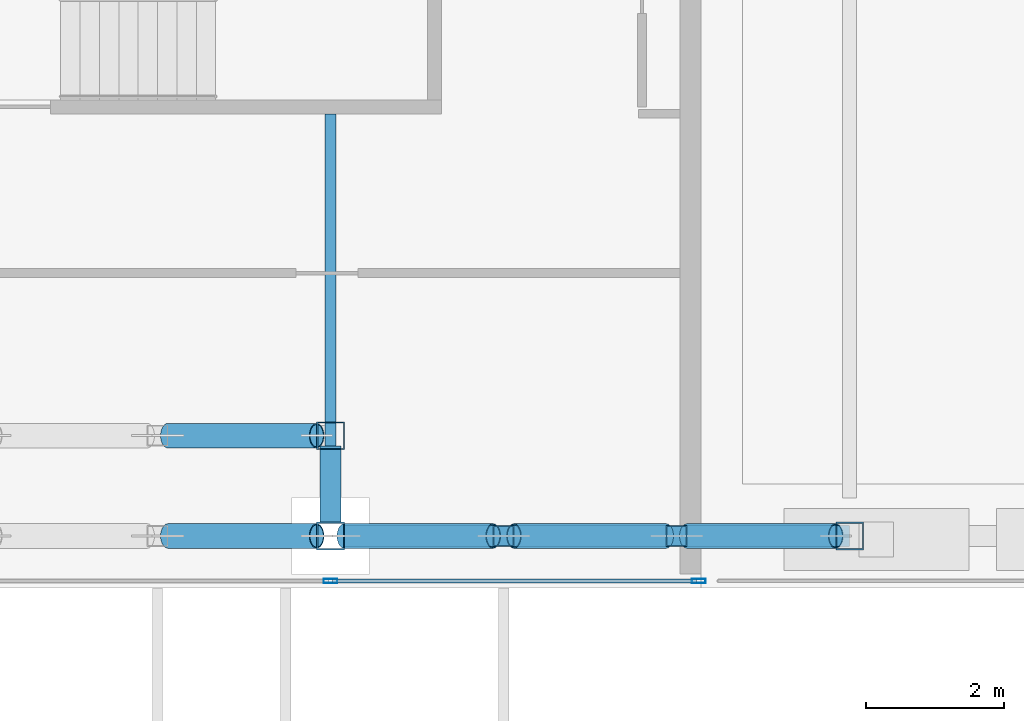
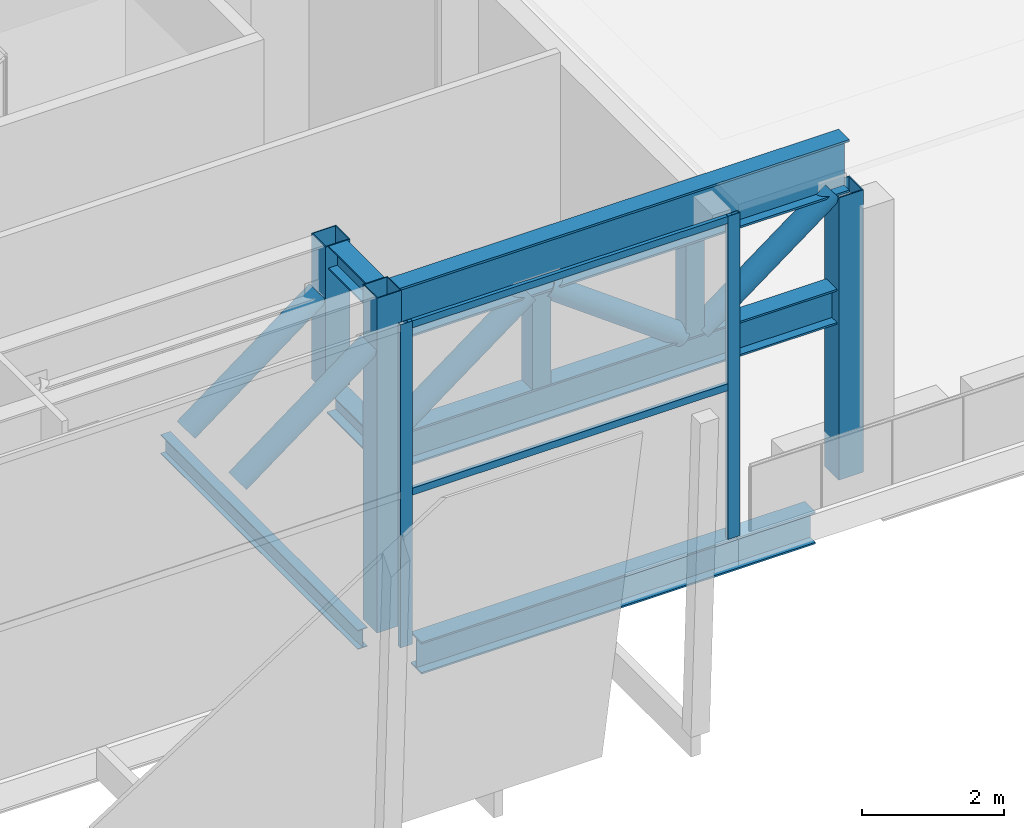
# One storey, part 5 of 47: 16 members, 4 beams, 1 element without a shape of its own.
"""IFC4 building model written with IfcOpenShell, lengths in metres."""

import ifcopenshell
import ifcopenshell.guid

model = None  # the IFC model being written
_history = None  # IfcOwnerHistory: only IFC2X3 demands one
_inside = {}  # id of a spatial element -> (the spatial element, [elements in it])
_under = {}  # id of a project, library or spatial element -> (it, [spatial elements below it])
_declared = {}  # id of a project -> (the project, [libraries it declares])
_typed = {}  # id of a type object -> (the type object, [elements of that type])
_made_of = {}  # id of a material, layer set ... -> (it, [elements and type objects made of it])


def new_model(schema):
    """Start an empty IFC model of exactly this schema.

    Asked for "IFC4X3", IfcOpenShell would pick the latest addendum, in which some entities
    have other attributes; the version numbers below select the first issue.
    IFC2X3 requires an IfcOwnerHistory on every rooted entity: one is made here for all.
    """
    global model, _history
    if schema == "IFC4X3":
        model = ifcopenshell.file(schema_version=(4, 3, 0, 0))
    else:
        model = ifcopenshell.file(schema=schema)
    _inside.clear()
    _under.clear()
    _declared.clear()
    _typed.clear()
    _made_of.clear()
    _history = None
    if model.schema == "IFC2X3":
        org = make("IfcOrganization", Name="unknown")
        user = make(
            "IfcPersonAndOrganization",
            ThePerson=make("IfcPerson", FamilyName="unknown"),
            TheOrganization=org,
        )
        app = make(
            "IfcApplication",
            ApplicationDeveloper=org,
            Version="unknown",
            ApplicationFullName="unknown",
            ApplicationIdentifier="unknown",
        )
        _history = make(
            "IfcOwnerHistory",
            OwningUser=user,
            OwningApplication=app,
            ChangeAction="ADDED",
            CreationDate=0,
        )
    return model


def make(cls, **values):
    """One entity of the class cls with the attributes given. An attribute that is None is left unset."""
    return model.create_entity(
        cls, **{name: value for name, value in values.items() if value is not None}
    )


def rooted(cls, **values):
    """An entity with a GlobalId (a new one), such as an element, a storey or a relation."""
    return make(cls, GlobalId=ifcopenshell.guid.new(), OwnerHistory=_history, **values)


def si_unit(unit_type, name, prefix=None):
    """IfcSIUnit, for example si_unit("LENGTHUNIT", "METRE", prefix="MILLI")."""
    return make("IfcSIUnit", UnitType=unit_type, Prefix=prefix, Name=name)


def assignment(units):
    """IfcUnitAssignment: the units of a project."""
    return None if units is None else make("IfcUnitAssignment", Units=units)


def point(xyz):
    """IfcCartesianPoint."""
    return None if xyz is None else make("IfcCartesianPoint", Coordinates=xyz)


def direction(xyz):
    """IfcDirection."""
    return None if xyz is None else make("IfcDirection", DirectionRatios=xyz)


def frame(location, z_axis=None, x_axis=None):
    """IfcAxis2Placement3D, a coordinate frame: its origin and axes. An axis left out is left unset."""
    return make(
        "IfcAxis2Placement3D",
        Location=point(location),
        Axis=direction(z_axis),
        RefDirection=direction(x_axis),
    )


def frame_2d(location, x_axis=None):
    """IfcAxis2Placement2D, a coordinate frame in the plane: its origin and x axis."""
    return make(
        "IfcAxis2Placement2D", Location=point(location), RefDirection=direction(x_axis)
    )


def origin():
    """The frame at (0, 0, 0) with its axes left unset."""
    return frame((0.0, 0.0, 0.0))


def origin_2d():
    """The frame at (0, 0) in the plane with its x axis left unset."""
    return frame_2d((0.0, 0.0))


def place(relative_to, where):
    """IfcLocalPlacement: puts the frame where relative to a parent placement (None: the world)."""
    return make(
        "IfcLocalPlacement", PlacementRelTo=relative_to, RelativePlacement=where
    )


def context(
    kind, dimensions, precision=None, world=None, true_north=None, identifier=None
):
    """IfcGeometricRepresentationContext, for example the 3D "Model" context."""
    return make(
        "IfcGeometricRepresentationContext",
        ContextIdentifier=identifier,
        ContextType=kind,
        CoordinateSpaceDimension=dimensions,
        Precision=precision,
        WorldCoordinateSystem=world,
        TrueNorth=true_north,
    )


def subcontext(parent, identifier, kind, view, scale=None):
    """IfcGeometricRepresentationSubContext, for example "Body" below "Model"."""
    return make(
        "IfcGeometricRepresentationSubContext",
        ContextIdentifier=identifier,
        ContextType=kind,
        ParentContext=parent,
        TargetScale=scale,
        TargetView=view,
    )


def project(units=None, contexts=None):
    """IfcProject with its units and contexts."""
    return rooted(
        "IfcProject",
        Name="project",
        RepresentationContexts=contexts,
        UnitsInContext=assignment(units),
    )


def spatial(cls, under=None, at=None, **own):
    """A site, building, storey or space (cls), placed at a placement, below another one or the project."""
    s = rooted(cls, ObjectPlacement=at, **own)
    if under is not None:
        _under.setdefault(under.id(), (under, []))[1].append(s)
    return s


def profile(cls, at=None, kind="AREA", **sizes):
    """A parametric profile (cls). Its sizes go by their IFC names, for example OverallWidth=200.0."""
    return make(cls, ProfileType=kind, Position=at, **sizes)


def hollow_rectangle(**sizes):
    """IfcRectangleHollowProfileDef."""
    return profile("IfcRectangleHollowProfileDef", **sizes)


def hollow_circle(**sizes):
    """IfcCircleHollowProfileDef."""
    return profile("IfcCircleHollowProfileDef", **sizes)


def i_section(**sizes):
    """IfcIShapeProfileDef."""
    return profile("IfcIShapeProfileDef", **sizes)


def extrude(swept, where, along, depth):
    """IfcExtrudedAreaSolid: the profile swept, set in the frame where, extruded along a direction by depth."""
    return make(
        "IfcExtrudedAreaSolid",
        SweptArea=swept,
        Position=where,
        ExtrudedDirection=direction(along),
        Depth=depth,
    )


def shape(context_of_items, identifier, shape_type, items):
    """IfcShapeRepresentation: the items that make up one representation, for example the "Body"."""
    return make(
        "IfcShapeRepresentation",
        ContextOfItems=context_of_items,
        RepresentationIdentifier=identifier,
        RepresentationType=shape_type,
        Items=items,
    )


def source(mapping_origin, context_of_items, identifier, shape_type, items):
    """IfcRepresentationMap: a shape defined once, which mapped items show again and again."""
    return make(
        "IfcRepresentationMap",
        MappingOrigin=mapping_origin,
        MappedRepresentation=shape(context_of_items, identifier, shape_type, items),
    )


def transform(
    local_origin,
    x_axis=None,
    y_axis=None,
    z_axis=None,
    scale=None,
    scale2=None,
    scale3=None,
    uniform=True,
):
    """IfcCartesianTransformationOperator3D, or its non-uniform kind. x_axis, y_axis, z_axis: its Axis1, 2, 3."""
    if uniform:
        return make(
            "IfcCartesianTransformationOperator3D",
            Axis1=direction(x_axis),
            Axis2=direction(y_axis),
            LocalOrigin=point(local_origin),
            Scale=scale,
            Axis3=direction(z_axis),
        )
    return make(
        "IfcCartesianTransformationOperator3DnonUniform",
        Axis1=direction(x_axis),
        Axis2=direction(y_axis),
        LocalOrigin=point(local_origin),
        Scale=scale,
        Axis3=direction(z_axis),
        Scale2=scale2,
        Scale3=scale3,
    )


def mapped(mapping_source, mapping_target):
    """IfcMappedItem: shows the shape of a source again, moved by a transform."""
    return make(
        "IfcMappedItem", MappingSource=mapping_source, MappingTarget=mapping_target
    )


def material(Name=None, Category=None):
    """IfcMaterial."""
    return make("IfcMaterial", Name=Name, Category=Category)


def material_profile(
    of_material, cross_section, Name=None, Category=None, Priority=None
):
    """IfcMaterialProfile: a cross section and its material."""
    return make(
        "IfcMaterialProfile",
        Name=Name,
        Material=of_material,
        Profile=cross_section,
        Priority=Priority,
        Category=Category,
    )


def profile_set(profiles, Name=None, composite=None):
    """IfcMaterialProfileSet."""
    return make(
        "IfcMaterialProfileSet",
        Name=Name,
        MaterialProfiles=profiles,
        CompositeProfile=composite,
    )


def made_of(thing, what):
    """Note that an element or type object is made of a material, layer set ...; save() writes the relation."""
    if what is not None:
        _made_of.setdefault(what.id(), (what, []))[1].append(thing)
    return thing


def type_object(cls, material=None, **own):
    """A type object (cls), such as IfcWallType, which elements share."""
    return made_of(rooted(cls, **own), material)


def element(
    cls,
    number,
    at=None,
    inside=None,
    cuts=None,
    type_object=None,
    material=None,
    context=None,
    identifier="Body",
    shape_type=None,
    held_by="IfcProductDefinitionShape",
    body=None,
    shapes=None,
    **own,
):
    """One element of the class cls, such as IfcWall. Its Tag is "e" and its number.

    at: its placement. inside: the storey or other place that contains it. cuts: it is an
    opening in that element (IfcRelVoidsElement). A single representation is given by context,
    identifier, shape_type and body (its items); several are given by shapes. held_by: the class
    of the entity that holds the representations. save() writes the other relations.
    """
    e = rooted(cls, Tag="e%d" % number, ObjectPlacement=at, **own)
    if body is not None:
        shapes = [shape(context, identifier, shape_type, body)]
    if shapes is not None:
        e.Representation = make(held_by, Representations=shapes)
    if inside is not None:
        _inside.setdefault(inside.id(), (inside, []))[1].append(e)
    if cuts is not None:
        rooted(
            "IfcRelVoidsElement", RelatingBuildingElement=cuts, RelatedOpeningElement=e
        )
    if type_object is not None:
        _typed.setdefault(type_object.id(), (type_object, []))[1].append(e)
    return made_of(e, material)


def aggregate(whole, parts):
    """IfcRelAggregates: a whole, such as a stair, and the parts it consists of."""
    return rooted("IfcRelAggregates", RelatingObject=whole, RelatedObjects=parts)


def save(model, path):
    """Write the relations noted so far, then the file.

    IfcRelAggregates (storeys below a building ...), IfcRelContainedInSpatialStructure (elements
    in a storey), IfcRelDefinesByType, IfcRelAssociatesMaterial and IfcRelDeclares: one each for
    every whole, place, type object, material and project.
    """
    for whole, parts in _under.values():
        aggregate(whole, parts)
    for where, things in _inside.values():
        rooted(
            "IfcRelContainedInSpatialStructure",
            RelatedElements=things,
            RelatingStructure=where,
        )
    for kind, things in _typed.values():
        rooted("IfcRelDefinesByType", RelatedObjects=things, RelatingType=kind)
    for what, things in _made_of.values():
        rooted("IfcRelAssociatesMaterial", RelatedObjects=things, RelatingMaterial=what)
    for by, libraries in _declared.values():
        rooted("IfcRelDeclares", RelatingContext=by, RelatedDefinitions=libraries)
    model.write(path)


model = new_model("IFC4")

# Units and contexts
model_context = context("Model", 3, precision=1e-05, world=origin(), true_north=direction((0.0, 1.0)))
body_context = subcontext(model_context, "Body", "Model", "MODEL_VIEW")
ifc_project = project(units=[si_unit("LENGTHUNIT", "METRE"), si_unit("AREAUNIT", "SQUARE_METRE"), si_unit("VOLUMEUNIT", "CUBIC_METRE"), si_unit("PLANEANGLEUNIT", "RADIAN"), si_unit("MASSUNIT", "GRAM", prefix="KILO")], contexts=[model_context])

# Site, building, storey
site_placement = place(None, origin())
site = spatial("IfcSite", under=ifc_project, at=site_placement, CompositionType="ELEMENT")
building_placement = place(site_placement, origin())
building = spatial("IfcBuilding", under=site, at=building_placement, Name="Khomas Fold Tower", CompositionType="ELEMENT")
storey_placement = place(building_placement, frame((0.0, 0.0, 158.699951171875)))
storey = spatial("IfcBuildingStorey", under=building, at=storey_placement, Name="L34", CompositionType="ELEMENT", Elevation=158.699951171875)

# Beams
ifc_material_1 = material(Name="Steel S355", Category="steel")
ifc_material_profile_1 = material_profile(ifc_material_1, i_section(OverallWidth=0.300048828125, OverallDepth=0.550048828125, WebThickness=0.014892578125, FlangeThickness=0.029052734375, at=origin_2d()), Name="HE 550 B")
ifc_profile_set_1 = profile_set([ifc_material_profile_1], Name="Steel S355")
beam_type_1 = type_object("IfcBeamType", Name="HE 550 B spandrel SB2", PredefinedType="SPANDREL", material=ifc_profile_set_1)
shared_shape_1 = source(origin(), body_context, "Body", "SweptSolid", [
    extrude(i_section(OverallWidth=0.300048828125, OverallDepth=0.550048828125, WebThickness=0.014892578125, FlangeThickness=0.029052734375, at=origin_2d()), origin(), (0.0, 0.0, 1.0), 6.39990234375),
])
beam_1_placement = place(storey_placement, frame((20.050048828125, 2.25, -0.724853515625), z_axis=(1.0, 0.0, 0.0), x_axis=(0.0, 1.0, 0.0)))
element("IfcBeam", 1, at=beam_1_placement, inside=storey, type_object=beam_type_1, Name="SB2", PredefinedType="SPANDREL", context=body_context, shape_type="MappedRepresentation", body=[
    mapped(shared_shape_1, transform((0.0, 0.0, 0.0))),
])
ifc_material_2 = material(Name="Steel S355", Category="steel")
ifc_material_profile_2 = material_profile(ifc_material_2, i_section(OverallWidth=0.159912109375, OverallDepth=0.330078125, WebThickness=0.007568359375, FlangeThickness=0.011474609375, at=origin_2d()), Name="IPE 330")
ifc_profile_set_2 = profile_set([ifc_material_profile_2], Name="Steel S355")
beam_type_2 = type_object("IfcBeamType", Name="IPE 330 beam JB1", PredefinedType="BEAM", material=ifc_profile_set_2)
shared_shape_2 = source(origin(), body_context, "Body", "SweptSolid", [
    extrude(i_section(OverallWidth=0.159912109375, OverallDepth=0.330078125, WebThickness=0.007568359375, FlangeThickness=0.011474609375, at=origin_2d()), origin(), (0.0, 0.0, 1.0), 5.550048828125),
])
beam_2_placement = place(storey_placement, frame((19.5, 2.800048828125, -0.614990234375), z_axis=(0.0, 1.0, 0.0), x_axis=(-1.0, 0.0, 0.0)))
element("IfcBeam", 2, at=beam_2_placement, inside=storey, type_object=beam_type_2, Name="JB1", PredefinedType="BEAM", context=body_context, shape_type="MappedRepresentation", body=[
    mapped(shared_shape_2, transform((0.0, 0.0, 0.0))),
])

# Members
ifc_material_3 = material(Name="Steel S355", Category="steel")
ifc_material_profile_3 = material_profile(ifc_material_3, hollow_rectangle(XDim=0.300048828125, YDim=0.300048828125, WallThickness=0.012451171875, at=origin_2d()), Name="SHS 300x300x12.5")
ifc_profile_set_3 = profile_set([ifc_material_profile_3], Name="Steel S355")
member_type_1 = type_object("IfcMemberType", Name="BELT TRUSS 2 MID POST SHS 300x300x12.5", PredefinedType="POST", material=ifc_profile_set_3)
shared_shape_3 = source(origin(), body_context, "Body", "SweptSolid", [
    extrude(hollow_rectangle(XDim=0.300048828125, YDim=0.300048828125, WallThickness=0.012451171875, at=origin_2d()), origin(), (0.0, 0.0, 1.0), 1.60009765625),
])
for number, where, z_axis, x_axis, name in (
    (3, (22.0, 2.25, 3.25), (0.0, 0.0, 1.0), (1.0, 0.0, 0.0), "BT2-M"),
    (4, (24.5, 2.25, 3.25), (0.0, 0.0, 1.0), (1.0, 0.0, 0.0), "BT2-M"),
):
    element("IfcMember", number, at=place(storey_placement, frame(where, z_axis=z_axis, x_axis=x_axis)), inside=storey, type_object=member_type_1, Name=name, PredefinedType="POST", context=body_context, shape_type="MappedRepresentation", body=[
        mapped(shared_shape_3, transform((0.0, 0.0, 0.0))),
    ])
ifc_material_4 = material(Name="Steel S355", Category="steel")
ifc_material_profile_4 = material_profile(ifc_material_4, i_section(OverallWidth=0.300048828125, OverallDepth=0.60009765625, WebThickness=0.015380859375, FlangeThickness=0.030029296875, at=origin_2d()), Name="HE 600 B")
ifc_profile_set_4 = profile_set([ifc_material_profile_4], Name="Steel S355")
member_type_2 = type_object("IfcMemberType", Name="BELT TRUSS 2 BOTTOM CHORD HE 600 B", PredefinedType="CHORD", material=ifc_profile_set_4)
shared_shape_4 = source(origin(), body_context, "Body", "SweptSolid", [
    extrude(i_section(OverallWidth=0.300048828125, OverallDepth=0.60009765625, WebThickness=0.015380859375, FlangeThickness=0.030029296875, at=origin_2d()), origin(), (0.0, 0.0, 1.0), 7.10009765625),
])
member_1_placement = place(storey_placement, frame((19.699951171875, 2.25, 2.949951171875), z_axis=(1.0, 0.0, 0.0), x_axis=(0.0, 1.0, 0.0)))
element("IfcMember", 5, at=member_1_placement, inside=storey, type_object=member_type_2, Name="BT2-CB", PredefinedType="CHORD", context=body_context, shape_type="MappedRepresentation", body=[
    mapped(shared_shape_4, transform((0.0, 0.0, 0.0))),
])
ifc_material_5 = material(Name="Steel S355", Category="steel")
ifc_material_profile_5 = material_profile(ifc_material_5, hollow_circle(Radius=0.177734375, WallThickness=0.01611328125, at=origin_2d()), Name="CHS 355.6x16")
ifc_profile_set_5 = profile_set([ifc_material_profile_5], Name="Steel S355")
member_type_3 = type_object("IfcMemberType", Name="BELT TRUSS 2 DIAGONAL CHS 355.6x16", PredefinedType="BRACE", material=ifc_profile_set_5)
shared_shape_5 = source(origin(), body_context, "Body", "SweptSolid", [
    extrude(hollow_circle(Radius=0.177734375, WallThickness=0.01611328125, at=origin_2d()), origin(), (0.0, 0.0, 1.0), 2.68603515625),
])
for number, where, z_axis, x_axis, name in (
    (6, (17.14990234375, 2.25, 3.2451171875), (0.800490552016, 0.0, 0.599345372998), (0.0, 1.0, 0.0), "BT2-D"),
    (7, (19.699951171875, 2.25, 3.2451171875), (0.800490552016, 0.0, 0.599345372998), (0.0, 1.0, 0.0), "BT2-D"),
    (8, (24.64990234375, 2.25, 3.2451171875), (0.800490552016, 0.0, 0.599345372998), (0.0, 1.0, 0.0), "BT2-D"),
    (9, (17.14990234375, 3.699951171875, 3.2451171875), (0.800490552016, 0.0, 0.599345372998), (0.0, 1.0, 0.0), "BT2-D"),
):
    element("IfcMember", number, at=place(storey_placement, frame(where, z_axis=z_axis, x_axis=x_axis)), inside=storey, type_object=member_type_3, Name=name, PredefinedType="BRACE", context=body_context, shape_type="MappedRepresentation", body=[
        mapped(shared_shape_5, transform((0.0, 0.0, 0.0))),
    ])
shared_shape_6 = source(origin(), body_context, "Body", "SweptSolid", [
    extrude(hollow_circle(Radius=0.177734375, WallThickness=0.01611328125, at=origin_2d()), origin(), (0.0, 0.0, 1.0), 2.726318359375),
])
member_2_placement = place(storey_placement, frame((22.14990234375, 2.25, 4.85498046875), z_axis=(0.80703657096, 0.0, -0.590501459044), x_axis=(0.0, 1.0, 0.0)))
element("IfcMember", 10, at=member_2_placement, inside=storey, type_object=member_type_3, Name="BT2-D", PredefinedType="BRACE", context=body_context, shape_type="MappedRepresentation", body=[
    mapped(shared_shape_6, transform((0.0, 0.0, 0.0))),
])
ifc_material_6 = material(Name="Steel S460M", Category="steel")
ifc_material_profile_6 = material_profile(ifc_material_6, i_section(OverallWidth=0.300048828125, OverallDepth=0.89990234375, WebThickness=0.0185546875, FlangeThickness=0.034912109375, at=origin_2d()), Name="HE 900 B")
ifc_profile_set_6 = profile_set([ifc_material_profile_6], Name="Steel S460M")
member_type_4 = type_object("IfcMemberType", Name="BELT TRUSS 2 TOP CHORD HE 900 B", PredefinedType="CHORD", material=ifc_profile_set_6)
shared_shape_7 = source(origin(), body_context, "Body", "SweptSolid", [
    extrude(i_section(OverallWidth=0.300048828125, OverallDepth=0.89990234375, WebThickness=0.0185546875, FlangeThickness=0.034912109375, at=origin_2d()), origin(), (0.0, 0.0, 1.0), 7.300048828125),
])
member_3_placement = place(storey_placement, frame((19.699951171875, 2.25, 5.300048828125), z_axis=(1.0, 0.0, 0.0), x_axis=(0.0, 1.0, 0.0)))
element("IfcMember", 11, at=member_3_placement, inside=storey, type_object=member_type_4, Name="BT2-CT", PredefinedType="CHORD", context=body_context, shape_type="MappedRepresentation", body=[
    mapped(shared_shape_7, transform((0.0, 0.0, 0.0))),
])
ifc_material_7 = material(Name="Steel S460M", Category="steel")
ifc_material_profile_7 = material_profile(ifc_material_7, hollow_rectangle(XDim=0.39990234375, YDim=0.39990234375, WallThickness=0.01611328125, at=origin_2d()), Name="SHS 400x400x16")
ifc_profile_set_7 = profile_set([ifc_material_profile_7], Name="Steel S460M")
member_type_5 = type_object("IfcMemberType", Name="BELT TRUSS 2 COLUMN POST SHS 400x400x16", PredefinedType="POST", material=ifc_profile_set_7)
shared_shape_8 = source(origin(), body_context, "Body", "SweptSolid", [
    extrude(hollow_rectangle(XDim=0.39990234375, YDim=0.39990234375, WallThickness=0.01611328125, at=origin_2d()), origin(), (0.0, 0.0, 1.0), 5.75),
])
member_4_placement = place(storey_placement, frame((19.5, 2.25, 0.0), z_axis=(0.0, 0.0, 1.0), x_axis=(1.0, 0.0, 0.0)))
element("IfcMember", 12, at=member_4_placement, inside=storey, type_object=member_type_5, Name="BT2-P", PredefinedType="POST", context=body_context, shape_type="MappedRepresentation", body=[
    mapped(shared_shape_8, transform((0.0, 0.0, 0.0))),
])
shared_shape_9 = source(origin(), body_context, "Body", "SweptSolid", [
    extrude(hollow_rectangle(XDim=0.39990234375, YDim=0.39990234375, WallThickness=0.01611328125, at=origin_2d()), origin(), (0.0, 0.0, 1.0), 4.85009765625),
])
member_5_placement = place(storey_placement, frame((27.0, 2.25, 0.0), z_axis=(0.0, 0.0, 1.0), x_axis=(1.0, 0.0, 0.0)))
element("IfcMember", 13, at=member_5_placement, inside=storey, type_object=member_type_5, Name="BT2-P", PredefinedType="POST", context=body_context, shape_type="MappedRepresentation", body=[
    mapped(shared_shape_9, transform((0.0, 0.0, 0.0))),
])
ifc_material_8 = material(Name="Steel S460M", Category="steel")
ifc_material_profile_8 = material_profile(ifc_material_8, hollow_rectangle(XDim=0.39990234375, YDim=0.39990234375, WallThickness=0.01611328125, at=origin_2d()), Name="SHS 400x400x16")
ifc_profile_set_8 = profile_set([ifc_material_profile_8], Name="Steel S460M")
member_type_6 = type_object("IfcMemberType", Name="BELT TRUSS 2 COLUMN POST SHORT SHS 400x400x16", PredefinedType="POST", material=ifc_profile_set_8)
shared_shape_10 = source(origin(), body_context, "Body", "SweptSolid", [
    extrude(hollow_rectangle(XDim=0.39990234375, YDim=0.39990234375, WallThickness=0.01611328125, at=origin_2d()), origin(), (0.0, 0.0, 1.0), 2.5),
])
member_6_placement = place(storey_placement, frame((19.5, 3.699951171875, 3.25), z_axis=(0.0, 0.0, 1.0), x_axis=(1.0, 0.0, 0.0)))
element("IfcMember", 14, at=member_6_placement, inside=storey, type_object=member_type_6, Name="BT2-PS", PredefinedType="POST", context=body_context, shape_type="MappedRepresentation", body=[
    mapped(shared_shape_10, transform((0.0, 0.0, 0.0))),
])

# Beams
ifc_material_9 = material(Name="Steel S355", Category="steel")
ifc_material_profile_9 = material_profile(ifc_material_9, i_section(OverallWidth=0.300048828125, OverallDepth=0.39990234375, WebThickness=0.013427734375, FlangeThickness=0.02392578125, at=origin_2d()), Name="HE 400 B")
ifc_profile_set_9 = profile_set([ifc_material_profile_9], Name="Steel S355")
beam_type_3 = type_object("IfcBeamType", Name="BELT TRUSS 2 TOP STRUT HE 400 B", PredefinedType="BEAM", material=ifc_profile_set_9)
shared_shape_11 = source(origin(), body_context, "Body", "SweptSolid", [
    extrude(i_section(OverallWidth=0.300048828125, OverallDepth=0.39990234375, WebThickness=0.013427734375, FlangeThickness=0.02392578125, at=origin_2d()), origin(), (0.0, 0.0, 1.0), 1.050048828125),
])
beam_3_placement = place(storey_placement, frame((19.5, 3.5, 5.550048828125), z_axis=(0.0, -1.0, 0.0), x_axis=(1.0, 0.0, 0.0)))
element("IfcBeam", 15, at=beam_3_placement, inside=storey, type_object=beam_type_3, Name="BT2-ST", PredefinedType="BEAM", context=body_context, shape_type="MappedRepresentation", body=[
    mapped(shared_shape_11, transform((0.0, 0.0, 0.0))),
])
ifc_material_10 = material(Name="Steel S355", Category="steel")
ifc_material_profile_10 = material_profile(ifc_material_10, i_section(OverallWidth=0.300048828125, OverallDepth=0.39990234375, WebThickness=0.013427734375, FlangeThickness=0.02392578125, at=origin_2d()), Name="HE 400 B")
ifc_profile_set_10 = profile_set([ifc_material_profile_10], Name="Steel S355")
beam_type_4 = type_object("IfcBeamType", Name="BELT TRUSS 2 BOTTOM STRUT HE 400 B", PredefinedType="BEAM", material=ifc_profile_set_10)
shared_shape_12 = source(origin(), body_context, "Body", "SweptSolid", [
    extrude(i_section(OverallWidth=0.300048828125, OverallDepth=0.39990234375, WebThickness=0.013427734375, FlangeThickness=0.02392578125, at=origin_2d()), origin(), (0.0, 0.0, 1.0), 1.10009765625),
])
beam_4_placement = place(storey_placement, frame((19.5, 3.550048828125, 3.050048828125), z_axis=(0.0, -1.0, 0.0), x_axis=(1.0, 0.0, 0.0)))
element("IfcBeam", 16, at=beam_4_placement, inside=storey, type_object=beam_type_4, Name="BT2-SB", PredefinedType="BEAM", context=body_context, shape_type="MappedRepresentation", body=[
    mapped(shared_shape_12, transform((0.0, 0.0, 0.0))),
])

# Curtain wall, members
ifc_material_11 = material(Name="Aluminium framed double glazing", Category="aluminium")
curtain_wall_type = type_object("IfcCurtainWallType", Name="SK-Unitised clear-glass wall, growing floors CW1", PredefinedType="NOTDEFINED", material=ifc_material_11)
curtain_wall_placement = place(storey_placement, origin())
curtain_wall = element("IfcCurtainWall", 17, at=curtain_wall_placement, inside=storey, type_object=curtain_wall_type, Name="CW1 run L34 01-0", PredefinedType="NOTDEFINED")
ifc_material_12 = material(Name="Aluminium", Category="aluminium")
ifc_material_profile_11 = material_profile(ifc_material_12, hollow_rectangle(XDim=0.06005859375, YDim=0.199951171875, WallThickness=0.00390625, at=origin_2d()), Name="SK-Unitised clear-glass wall, growing floors mullion CW1-M")
ifc_profile_set_11 = profile_set([ifc_material_profile_11], Name="Aluminium")
member_type_7 = type_object("IfcMemberType", Name="SK-Unitised clear-glass wall, growing floors mullion CW1-M", PredefinedType="MULLION", material=ifc_profile_set_11)
shared_shape_13 = source(origin(), body_context, "Body", "SweptSolid", [
    extrude(hollow_rectangle(XDim=0.06005859375, YDim=0.199951171875, WallThickness=0.00390625, at=origin_2d()), origin(), (0.0, 0.0, 1.0), 5.550048828125),
])
member_7_placement = place(storey_placement, frame((19.5, 1.60009765625, 0.0), z_axis=(0.0, 0.0, 1.0), x_axis=(0.0, 1.0, 0.0)))
member_7 = element("IfcMember", 18, at=member_7_placement, type_object=member_type_7, Name="CW1 mullion 4", PredefinedType="MULLION", context=body_context, shape_type="MappedRepresentation", body=[
    mapped(shared_shape_13, transform((0.0, 0.0, 0.0))),
])
member_8_placement = place(storey_placement, frame((24.820068359375, 1.60009765625, 0.0), z_axis=(0.0, 0.0, 1.0), x_axis=(0.0, 1.0, 0.0)))
member_8 = element("IfcMember", 19, at=member_8_placement, type_object=member_type_7, Name="CW1 mullion 5", PredefinedType="MULLION", context=body_context, shape_type="MappedRepresentation", body=[
    mapped(shared_shape_13, transform((0.0, 0.0, 0.0))),
])
ifc_material_13 = material(Name="Aluminium", Category="aluminium")
ifc_material_profile_12 = material_profile(ifc_material_13, hollow_rectangle(XDim=0.06005859375, YDim=0.1201171875, WallThickness=0.00390625, at=origin_2d()), Name="SK-Unitised clear-glass wall, growing floors transom CW1-T")
ifc_profile_set_12 = profile_set([ifc_material_profile_12], Name="Aluminium")
member_type_8 = type_object("IfcMemberType", Name="SK-Unitised clear-glass wall, growing floors transom CW1-T", PredefinedType="USERDEFINED", material=ifc_profile_set_12)
shared_shape_14 = source(origin(), body_context, "Body", "SweptSolid", [
    extrude(hollow_rectangle(XDim=0.06005859375, YDim=0.1201171875, WallThickness=0.00390625, at=origin_2d()), origin(), (0.0, 0.0, 1.0), 5.260009765625),
])
member_9_placement = place(storey_placement, frame((19.530029296875, 1.60009765625, 5.489990234375), z_axis=(1.0, 0.0, 0.0), x_axis=(0.0, 1.0, 0.0)))
member_9 = element("IfcMember", 20, at=member_9_placement, type_object=member_type_8, Name="CW1 transom 4", ObjectType="TRANSOM", PredefinedType="USERDEFINED", context=body_context, shape_type="MappedRepresentation", body=[
    mapped(shared_shape_14, transform((0.0, 0.0, 0.0))),
])
member_10_placement = place(storey_placement, frame((19.530029296875, 1.60009765625, 2.6171875), z_axis=(1.0, 0.0, 0.0), x_axis=(0.0, 1.0, 0.0)))
member_10 = element("IfcMember", 21, at=member_10_placement, type_object=member_type_8, Name="CW1 transom 4 (truss floor)", ObjectType="TRANSOM", PredefinedType="USERDEFINED", context=body_context, shape_type="MappedRepresentation", body=[
    mapped(shared_shape_14, transform((0.0, 0.0, 0.0))),
])
aggregate(curtain_wall, [member_7, member_8, member_9, member_10])

save(model, "model.ifc")
